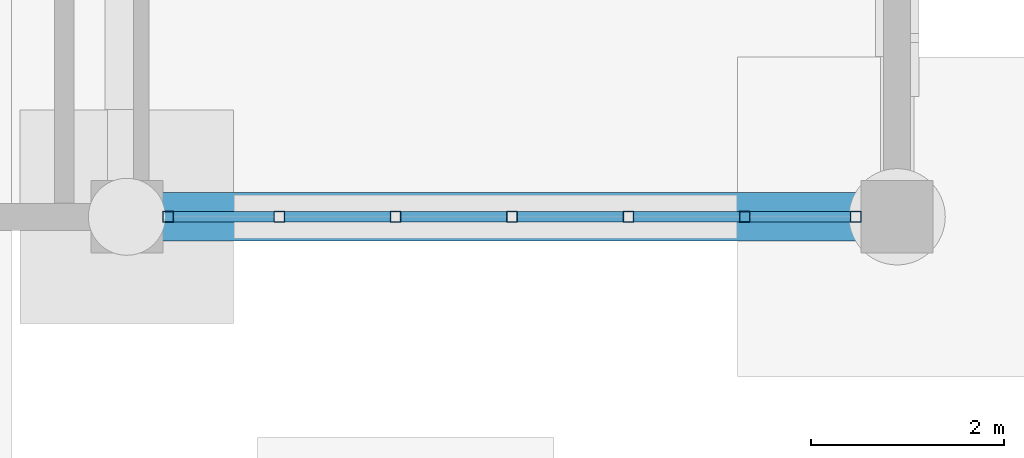
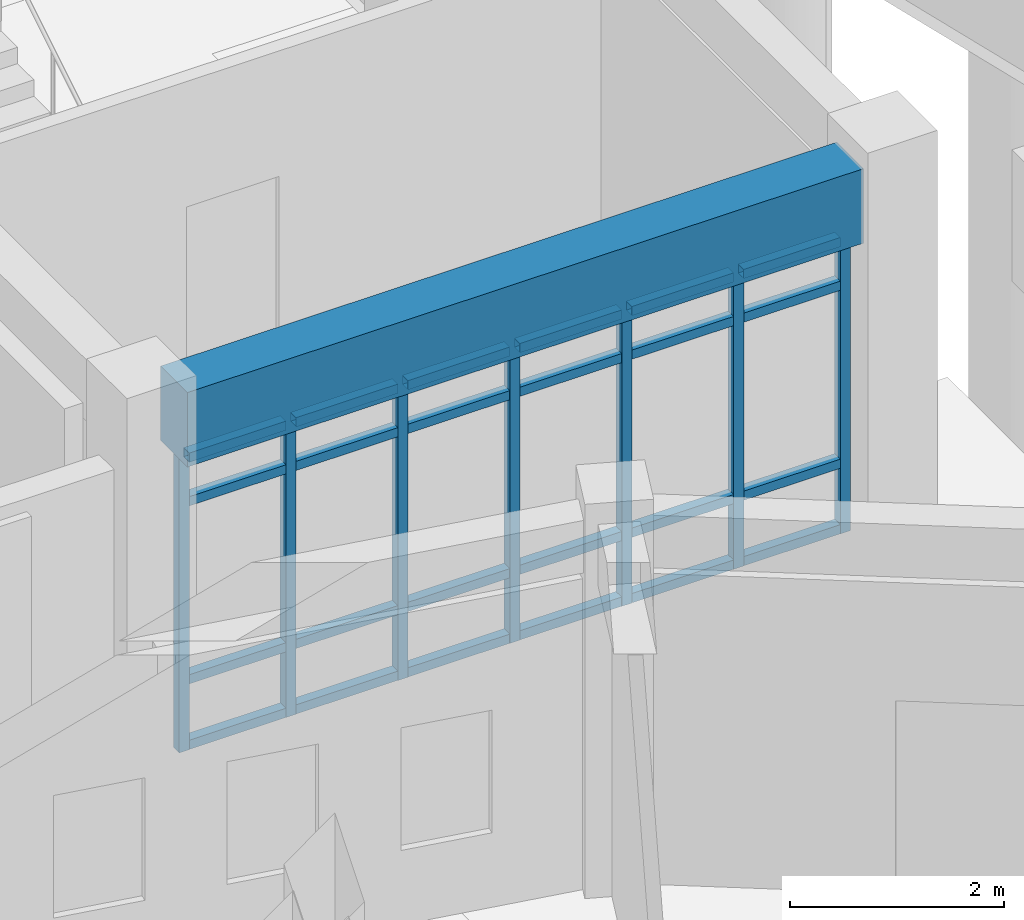
# One storey, part 29 of 153: 31 members, 1 beam, 1 element without a shape of its own.
"""IFC4 building model written with IfcOpenShell, lengths in metres."""

from ifc_helpers import new_model, si_unit, direction, frame, origin, origin_2d, place, context, subcontext, project, spatial, rectangle, hollow_rectangle, extrude, material, material_profile, profile_set, type_object, element, aggregate, save


model = new_model("IFC4")

# Units and contexts
model_context = context("Model", 3, precision=1e-05, world=origin(), true_north=direction((0.0, 1.0)))
body_context = subcontext(model_context, "Body", "Model", "MODEL_VIEW")
ifc_project = project(units=[si_unit("LENGTHUNIT", "METRE"), si_unit("AREAUNIT", "SQUARE_METRE"), si_unit("VOLUMEUNIT", "CUBIC_METRE"), si_unit("PLANEANGLEUNIT", "RADIAN"), si_unit("MASSUNIT", "GRAM", prefix="KILO")], contexts=[model_context])

# Site, building, storey
site_placement = place(None, origin())
site = spatial("IfcSite", under=ifc_project, at=site_placement, CompositionType="ELEMENT")
building_placement = place(site_placement, origin())
building = spatial("IfcBuilding", under=site, at=building_placement, Name="Celadon Cloister-Ring School", CompositionType="ELEMENT")
storey_placement = place(building_placement, origin())
storey = spatial("IfcBuildingStorey", under=building, at=storey_placement, Name="L00", CompositionType="ELEMENT", Elevation=0.0)

# Curtain wall, members
ifc_material_1 = material(Name="Aluminium EN AW-6063 T6", Category="aluminium")
curtain_wall_type = type_object("IfcCurtainWallType", Name="CW-12", PredefinedType="USERDEFINED", material=ifc_material_1)
curtain_wall_placement = place(storey_placement, origin())
curtain_wall = element("IfcCurtainWall", 1, at=curtain_wall_placement, inside=storey, type_object=curtain_wall_type, Name="Curtain Wall 0193", ObjectType="CURTAIN WALL", PredefinedType="USERDEFINED")
ifc_material_2 = material(Name="Aluminium EN AW-6063 T6", Category="aluminium")
ifc_material_profile_1 = material_profile(ifc_material_2, hollow_rectangle(XDim=0.110107421875, YDim=0.110107421875, WallThickness=0.0048828125, at=origin_2d()), Name="RHS110X110X5")
ifc_profile_set_1 = profile_set([ifc_material_profile_1], Name="Aluminium EN AW-6063 T6")
member_type_1 = type_object("IfcMemberType", Name="CM-01", PredefinedType="MULLION", material=ifc_profile_set_1)
member_1_placement = place(storey_placement, frame((31.570068359375, 40.0, 0.0), z_axis=(0.0, 0.0, 1.0), x_axis=(0.0, -1.0, 0.0)))
member_1 = element("IfcMember", 2, at=member_1_placement, type_object=member_type_1, Name="CW-12 mullion 1", PredefinedType="MULLION", context=body_context, shape_type="SweptSolid", body=[
    extrude(hollow_rectangle(XDim=0.110107421875, YDim=0.110107421875, WallThickness=0.0048828125, at=origin_2d()), origin(), (0.0, 0.0, 1.0), 3.382080078125),
])
member_2_placement = place(storey_placement, frame((30.416748046875, 40.0, 0.0), z_axis=(0.0, 0.0, 1.0), x_axis=(0.0, -1.0, 0.0)))
member_2 = element("IfcMember", 3, at=member_2_placement, type_object=member_type_1, Name="CW-12 mullion 2", PredefinedType="MULLION", context=body_context, shape_type="SweptSolid", body=[
    extrude(hollow_rectangle(XDim=0.110107421875, YDim=0.110107421875, WallThickness=0.0048828125, at=origin_2d()), origin(), (0.0, 0.0, 1.0), 3.382080078125),
])
member_3_placement = place(storey_placement, frame((29.208251953125, 40.0, 0.0), z_axis=(0.0, 0.0, 1.0), x_axis=(0.0, -1.0, 0.0)))
member_3 = element("IfcMember", 4, at=member_3_placement, type_object=member_type_1, Name="CW-12 mullion 3", PredefinedType="MULLION", context=body_context, shape_type="SweptSolid", body=[
    extrude(hollow_rectangle(XDim=0.110107421875, YDim=0.110107421875, WallThickness=0.0048828125, at=origin_2d()), origin(), (0.0, 0.0, 1.0), 3.382080078125),
])
member_4_placement = place(storey_placement, frame((28.0, 40.0, 0.0), z_axis=(0.0, 0.0, 1.0), x_axis=(0.0, -1.0, 0.0)))
member_4 = element("IfcMember", 5, at=member_4_placement, type_object=member_type_1, Name="CW-12 mullion 4", PredefinedType="MULLION", context=body_context, shape_type="SweptSolid", body=[
    extrude(hollow_rectangle(XDim=0.110107421875, YDim=0.110107421875, WallThickness=0.0048828125, at=origin_2d()), origin(), (0.0, 0.0, 1.0), 3.382080078125),
])
member_5_placement = place(storey_placement, frame((26.791748046875, 40.0, 0.0), z_axis=(0.0, 0.0, 1.0), x_axis=(0.0, -1.0, 0.0)))
member_5 = element("IfcMember", 6, at=member_5_placement, type_object=member_type_1, Name="CW-12 mullion 5", PredefinedType="MULLION", context=body_context, shape_type="SweptSolid", body=[
    extrude(hollow_rectangle(XDim=0.110107421875, YDim=0.110107421875, WallThickness=0.0048828125, at=origin_2d()), origin(), (0.0, 0.0, 1.0), 3.382080078125),
])
member_6_placement = place(storey_placement, frame((25.583251953125, 40.0, 0.0), z_axis=(0.0, 0.0, 1.0), x_axis=(0.0, -1.0, 0.0)))
member_6 = element("IfcMember", 7, at=member_6_placement, type_object=member_type_1, Name="CW-12 mullion 6", PredefinedType="MULLION", context=body_context, shape_type="SweptSolid", body=[
    extrude(hollow_rectangle(XDim=0.110107421875, YDim=0.110107421875, WallThickness=0.0048828125, at=origin_2d()), origin(), (0.0, 0.0, 1.0), 3.382080078125),
])
member_7_placement = place(storey_placement, frame((24.429931640625, 40.0, 0.0), z_axis=(0.0, 0.0, 1.0), x_axis=(0.0, -1.0, 0.0)))
member_7 = element("IfcMember", 8, at=member_7_placement, type_object=member_type_1, Name="CW-12 mullion 7", PredefinedType="MULLION", context=body_context, shape_type="SweptSolid", body=[
    extrude(hollow_rectangle(XDim=0.110107421875, YDim=0.110107421875, WallThickness=0.0048828125, at=origin_2d()), origin(), (0.0, 0.0, 1.0), 3.382080078125),
])
ifc_material_3 = material(Name="Aluminium EN AW-6063 T6", Category="aluminium")
ifc_material_profile_2 = material_profile(ifc_material_3, hollow_rectangle(XDim=0.10498046875, YDim=0.10498046875, WallThickness=0.0048828125, at=origin_2d()), Name="RHS105X105X5")
ifc_profile_set_2 = profile_set([ifc_material_profile_2], Name="Aluminium EN AW-6063 T6")
member_type_2 = type_object("IfcMemberType", Name="CTM-01", PredefinedType="USERDEFINED", material=ifc_profile_set_2)
member_8_placement = place(storey_placement, frame((31.514892578125, 40.0, 0.052490234375), z_axis=(-1.0, 0.0, 0.0), x_axis=(0.0, -1.0, 0.0)))
member_8 = element("IfcMember", 9, at=member_8_placement, type_object=member_type_2, Name="CW-12 transom 1.1", ObjectType="TRANSOM", PredefinedType="USERDEFINED", context=body_context, shape_type="SweptSolid", body=[
    extrude(hollow_rectangle(XDim=0.10498046875, YDim=0.10498046875, WallThickness=0.0048828125, at=origin_2d()), origin(), (0.0, 0.0, 1.0), 1.043212890625),
])
member_9_placement = place(storey_placement, frame((31.514892578125, 40.0, 0.800048828125), z_axis=(-1.0, 0.0, 0.0), x_axis=(0.0, -1.0, 0.0)))
member_9 = element("IfcMember", 10, at=member_9_placement, type_object=member_type_2, Name="CW-12 transom 1.2", ObjectType="TRANSOM", PredefinedType="USERDEFINED", context=body_context, shape_type="SweptSolid", body=[
    extrude(hollow_rectangle(XDim=0.10498046875, YDim=0.10498046875, WallThickness=0.0048828125, at=origin_2d()), origin(), (0.0, 0.0, 1.0), 1.043212890625),
])
member_10_placement = place(storey_placement, frame((31.514892578125, 40.0, 2.83203125), z_axis=(-1.0, 0.0, 0.0), x_axis=(0.0, -1.0, 0.0)))
member_10 = element("IfcMember", 11, at=member_10_placement, type_object=member_type_2, Name="CW-12 transom 1.3", ObjectType="TRANSOM", PredefinedType="USERDEFINED", context=body_context, shape_type="SweptSolid", body=[
    extrude(hollow_rectangle(XDim=0.10498046875, YDim=0.10498046875, WallThickness=0.0048828125, at=origin_2d()), origin(), (0.0, 0.0, 1.0), 1.043212890625),
])
member_11_placement = place(storey_placement, frame((31.514892578125, 40.0, 3.32958984375), z_axis=(-1.0, 0.0, 0.0), x_axis=(0.0, -1.0, 0.0)))
member_11 = element("IfcMember", 12, at=member_11_placement, type_object=member_type_2, Name="CW-12 transom 1.4", ObjectType="TRANSOM", PredefinedType="USERDEFINED", context=body_context, shape_type="SweptSolid", body=[
    extrude(hollow_rectangle(XDim=0.10498046875, YDim=0.10498046875, WallThickness=0.0048828125, at=origin_2d()), origin(), (0.0, 0.0, 1.0), 1.043212890625),
])
member_12_placement = place(storey_placement, frame((30.361572265625, 40.0, 0.052490234375), z_axis=(-1.0, 0.0, 0.0), x_axis=(0.0, -1.0, 0.0)))
member_12 = element("IfcMember", 13, at=member_12_placement, type_object=member_type_2, Name="CW-12 transom 2.1", ObjectType="TRANSOM", PredefinedType="USERDEFINED", context=body_context, shape_type="SweptSolid", body=[
    extrude(hollow_rectangle(XDim=0.10498046875, YDim=0.10498046875, WallThickness=0.0048828125, at=origin_2d()), origin(), (0.0, 0.0, 1.0), 1.09814453125),
])
member_13_placement = place(storey_placement, frame((30.361572265625, 40.0, 0.800048828125), z_axis=(-1.0, 0.0, 0.0), x_axis=(0.0, -1.0, 0.0)))
member_13 = element("IfcMember", 14, at=member_13_placement, type_object=member_type_2, Name="CW-12 transom 2.2", ObjectType="TRANSOM", PredefinedType="USERDEFINED", context=body_context, shape_type="SweptSolid", body=[
    extrude(hollow_rectangle(XDim=0.10498046875, YDim=0.10498046875, WallThickness=0.0048828125, at=origin_2d()), origin(), (0.0, 0.0, 1.0), 1.09814453125),
])
member_14_placement = place(storey_placement, frame((30.361572265625, 40.0, 2.83203125), z_axis=(-1.0, 0.0, 0.0), x_axis=(0.0, -1.0, 0.0)))
member_14 = element("IfcMember", 15, at=member_14_placement, type_object=member_type_2, Name="CW-12 transom 2.3", ObjectType="TRANSOM", PredefinedType="USERDEFINED", context=body_context, shape_type="SweptSolid", body=[
    extrude(hollow_rectangle(XDim=0.10498046875, YDim=0.10498046875, WallThickness=0.0048828125, at=origin_2d()), origin(), (0.0, 0.0, 1.0), 1.09814453125),
])
member_15_placement = place(storey_placement, frame((30.361572265625, 40.0, 3.32958984375), z_axis=(-1.0, 0.0, 0.0), x_axis=(0.0, -1.0, 0.0)))
member_15 = element("IfcMember", 16, at=member_15_placement, type_object=member_type_2, Name="CW-12 transom 2.4", ObjectType="TRANSOM", PredefinedType="USERDEFINED", context=body_context, shape_type="SweptSolid", body=[
    extrude(hollow_rectangle(XDim=0.10498046875, YDim=0.10498046875, WallThickness=0.0048828125, at=origin_2d()), origin(), (0.0, 0.0, 1.0), 1.09814453125),
])
member_16_placement = place(storey_placement, frame((29.1533203125, 40.0, 0.052490234375), z_axis=(-1.0, 0.0, 0.0), x_axis=(0.0, -1.0, 0.0)))
member_16 = element("IfcMember", 17, at=member_16_placement, type_object=member_type_2, Name="CW-12 transom 3.1", ObjectType="TRANSOM", PredefinedType="USERDEFINED", context=body_context, shape_type="SweptSolid", body=[
    extrude(hollow_rectangle(XDim=0.10498046875, YDim=0.10498046875, WallThickness=0.0048828125, at=origin_2d()), origin(), (0.0, 0.0, 1.0), 1.098388671875),
])
member_17_placement = place(storey_placement, frame((29.1533203125, 40.0, 0.800048828125), z_axis=(-1.0, 0.0, 0.0), x_axis=(0.0, -1.0, 0.0)))
member_17 = element("IfcMember", 18, at=member_17_placement, type_object=member_type_2, Name="CW-12 transom 3.2", ObjectType="TRANSOM", PredefinedType="USERDEFINED", context=body_context, shape_type="SweptSolid", body=[
    extrude(hollow_rectangle(XDim=0.10498046875, YDim=0.10498046875, WallThickness=0.0048828125, at=origin_2d()), origin(), (0.0, 0.0, 1.0), 1.098388671875),
])
member_18_placement = place(storey_placement, frame((29.1533203125, 40.0, 2.83203125), z_axis=(-1.0, 0.0, 0.0), x_axis=(0.0, -1.0, 0.0)))
member_18 = element("IfcMember", 19, at=member_18_placement, type_object=member_type_2, Name="CW-12 transom 3.3", ObjectType="TRANSOM", PredefinedType="USERDEFINED", context=body_context, shape_type="SweptSolid", body=[
    extrude(hollow_rectangle(XDim=0.10498046875, YDim=0.10498046875, WallThickness=0.0048828125, at=origin_2d()), origin(), (0.0, 0.0, 1.0), 1.098388671875),
])
member_19_placement = place(storey_placement, frame((29.1533203125, 40.0, 3.32958984375), z_axis=(-1.0, 0.0, 0.0), x_axis=(0.0, -1.0, 0.0)))
member_19 = element("IfcMember", 20, at=member_19_placement, type_object=member_type_2, Name="CW-12 transom 3.4", ObjectType="TRANSOM", PredefinedType="USERDEFINED", context=body_context, shape_type="SweptSolid", body=[
    extrude(hollow_rectangle(XDim=0.10498046875, YDim=0.10498046875, WallThickness=0.0048828125, at=origin_2d()), origin(), (0.0, 0.0, 1.0), 1.098388671875),
])
member_20_placement = place(storey_placement, frame((27.945068359375, 40.0, 0.052490234375), z_axis=(-1.0, 0.0, 0.0), x_axis=(0.0, -1.0, 0.0)))
member_20 = element("IfcMember", 21, at=member_20_placement, type_object=member_type_2, Name="CW-12 transom 4.1", ObjectType="TRANSOM", PredefinedType="USERDEFINED", context=body_context, shape_type="SweptSolid", body=[
    extrude(hollow_rectangle(XDim=0.10498046875, YDim=0.10498046875, WallThickness=0.0048828125, at=origin_2d()), origin(), (0.0, 0.0, 1.0), 1.098388671875),
])
member_21_placement = place(storey_placement, frame((27.945068359375, 40.0, 0.800048828125), z_axis=(-1.0, 0.0, 0.0), x_axis=(0.0, -1.0, 0.0)))
member_21 = element("IfcMember", 22, at=member_21_placement, type_object=member_type_2, Name="CW-12 transom 4.2", ObjectType="TRANSOM", PredefinedType="USERDEFINED", context=body_context, shape_type="SweptSolid", body=[
    extrude(hollow_rectangle(XDim=0.10498046875, YDim=0.10498046875, WallThickness=0.0048828125, at=origin_2d()), origin(), (0.0, 0.0, 1.0), 1.098388671875),
])
member_22_placement = place(storey_placement, frame((27.945068359375, 40.0, 2.83203125), z_axis=(-1.0, 0.0, 0.0), x_axis=(0.0, -1.0, 0.0)))
member_22 = element("IfcMember", 23, at=member_22_placement, type_object=member_type_2, Name="CW-12 transom 4.3", ObjectType="TRANSOM", PredefinedType="USERDEFINED", context=body_context, shape_type="SweptSolid", body=[
    extrude(hollow_rectangle(XDim=0.10498046875, YDim=0.10498046875, WallThickness=0.0048828125, at=origin_2d()), origin(), (0.0, 0.0, 1.0), 1.098388671875),
])
member_23_placement = place(storey_placement, frame((27.945068359375, 40.0, 3.32958984375), z_axis=(-1.0, 0.0, 0.0), x_axis=(0.0, -1.0, 0.0)))
member_23 = element("IfcMember", 24, at=member_23_placement, type_object=member_type_2, Name="CW-12 transom 4.4", ObjectType="TRANSOM", PredefinedType="USERDEFINED", context=body_context, shape_type="SweptSolid", body=[
    extrude(hollow_rectangle(XDim=0.10498046875, YDim=0.10498046875, WallThickness=0.0048828125, at=origin_2d()), origin(), (0.0, 0.0, 1.0), 1.098388671875),
])
member_24_placement = place(storey_placement, frame((26.736572265625, 40.0, 0.052490234375), z_axis=(-1.0, 0.0, 0.0), x_axis=(0.0, -1.0, 0.0)))
member_24 = element("IfcMember", 25, at=member_24_placement, type_object=member_type_2, Name="CW-12 transom 5.1", ObjectType="TRANSOM", PredefinedType="USERDEFINED", context=body_context, shape_type="SweptSolid", body=[
    extrude(hollow_rectangle(XDim=0.10498046875, YDim=0.10498046875, WallThickness=0.0048828125, at=origin_2d()), origin(), (0.0, 0.0, 1.0), 1.09814453125),
])
member_25_placement = place(storey_placement, frame((26.736572265625, 40.0, 0.800048828125), z_axis=(-1.0, 0.0, 0.0), x_axis=(0.0, -1.0, 0.0)))
member_25 = element("IfcMember", 26, at=member_25_placement, type_object=member_type_2, Name="CW-12 transom 5.2", ObjectType="TRANSOM", PredefinedType="USERDEFINED", context=body_context, shape_type="SweptSolid", body=[
    extrude(hollow_rectangle(XDim=0.10498046875, YDim=0.10498046875, WallThickness=0.0048828125, at=origin_2d()), origin(), (0.0, 0.0, 1.0), 1.09814453125),
])
member_26_placement = place(storey_placement, frame((26.736572265625, 40.0, 2.83203125), z_axis=(-1.0, 0.0, 0.0), x_axis=(0.0, -1.0, 0.0)))
member_26 = element("IfcMember", 27, at=member_26_placement, type_object=member_type_2, Name="CW-12 transom 5.3", ObjectType="TRANSOM", PredefinedType="USERDEFINED", context=body_context, shape_type="SweptSolid", body=[
    extrude(hollow_rectangle(XDim=0.10498046875, YDim=0.10498046875, WallThickness=0.0048828125, at=origin_2d()), origin(), (0.0, 0.0, 1.0), 1.09814453125),
])
member_27_placement = place(storey_placement, frame((26.736572265625, 40.0, 3.32958984375), z_axis=(-1.0, 0.0, 0.0), x_axis=(0.0, -1.0, 0.0)))
member_27 = element("IfcMember", 28, at=member_27_placement, type_object=member_type_2, Name="CW-12 transom 5.4", ObjectType="TRANSOM", PredefinedType="USERDEFINED", context=body_context, shape_type="SweptSolid", body=[
    extrude(hollow_rectangle(XDim=0.10498046875, YDim=0.10498046875, WallThickness=0.0048828125, at=origin_2d()), origin(), (0.0, 0.0, 1.0), 1.09814453125),
])
member_28_placement = place(storey_placement, frame((25.5283203125, 40.0, 0.052490234375), z_axis=(-1.0, 0.0, 0.0), x_axis=(0.0, -1.0, 0.0)))
member_28 = element("IfcMember", 29, at=member_28_placement, type_object=member_type_2, Name="CW-12 transom 6.1", ObjectType="TRANSOM", PredefinedType="USERDEFINED", context=body_context, shape_type="SweptSolid", body=[
    extrude(hollow_rectangle(XDim=0.10498046875, YDim=0.10498046875, WallThickness=0.0048828125, at=origin_2d()), origin(), (0.0, 0.0, 1.0), 1.043212890625),
])
member_29_placement = place(storey_placement, frame((25.5283203125, 40.0, 0.800048828125), z_axis=(-1.0, 0.0, 0.0), x_axis=(0.0, -1.0, 0.0)))
member_29 = element("IfcMember", 30, at=member_29_placement, type_object=member_type_2, Name="CW-12 transom 6.2", ObjectType="TRANSOM", PredefinedType="USERDEFINED", context=body_context, shape_type="SweptSolid", body=[
    extrude(hollow_rectangle(XDim=0.10498046875, YDim=0.10498046875, WallThickness=0.0048828125, at=origin_2d()), origin(), (0.0, 0.0, 1.0), 1.043212890625),
])
member_30_placement = place(storey_placement, frame((25.5283203125, 40.0, 2.83203125), z_axis=(-1.0, 0.0, 0.0), x_axis=(0.0, -1.0, 0.0)))
member_30 = element("IfcMember", 31, at=member_30_placement, type_object=member_type_2, Name="CW-12 transom 6.3", ObjectType="TRANSOM", PredefinedType="USERDEFINED", context=body_context, shape_type="SweptSolid", body=[
    extrude(hollow_rectangle(XDim=0.10498046875, YDim=0.10498046875, WallThickness=0.0048828125, at=origin_2d()), origin(), (0.0, 0.0, 1.0), 1.043212890625),
])
member_31_placement = place(storey_placement, frame((25.5283203125, 40.0, 3.32958984375), z_axis=(-1.0, 0.0, 0.0), x_axis=(0.0, -1.0, 0.0)))
member_31 = element("IfcMember", 32, at=member_31_placement, type_object=member_type_2, Name="CW-12 transom 6.4", ObjectType="TRANSOM", PredefinedType="USERDEFINED", context=body_context, shape_type="SweptSolid", body=[
    extrude(hollow_rectangle(XDim=0.10498046875, YDim=0.10498046875, WallThickness=0.0048828125, at=origin_2d()), origin(), (0.0, 0.0, 1.0), 1.043212890625),
])
aggregate(curtain_wall, [member_1, member_2, member_3, member_4, member_5, member_6, member_7, member_8, member_9, member_10, member_11, member_12, member_13, member_14, member_15, member_16, member_17, member_18, member_19, member_20, member_21, member_22, member_23, member_24, member_25, member_26, member_27, member_28, member_29, member_30, member_31])

# Beam
ifc_material_4 = material(Name="Concrete C35/45", Category="concrete")
ifc_material_profile_3 = material_profile(ifc_material_4, rectangle(XDim=0.5, YDim=0.85009765625, at=origin_2d()), Name="RC500X850")
ifc_profile_set_3 = profile_set([ifc_material_profile_3], Name="Concrete C35/45")
beam_type = type_object("IfcBeamType", Name="GT-01", PredefinedType="USERDEFINED", material=ifc_profile_set_3)
beam_placement = place(storey_placement, frame((24.35009765625, 40.0, 3.81494140625), z_axis=(1.0, 0.0, 0.0), x_axis=(0.0, 1.0, 0.0)))
element("IfcBeam", 33, at=beam_placement, inside=storey, type_object=beam_type, Name="Beam 1478", ObjectType="GIRDER", PredefinedType="USERDEFINED", context=body_context, shape_type="SweptSolid", body=[
    extrude(rectangle(XDim=0.5, YDim=0.85009765625, at=origin_2d()), origin(), (0.0, 0.0, 1.0), 7.2998046875),
])

save(model, "model.ifc")
